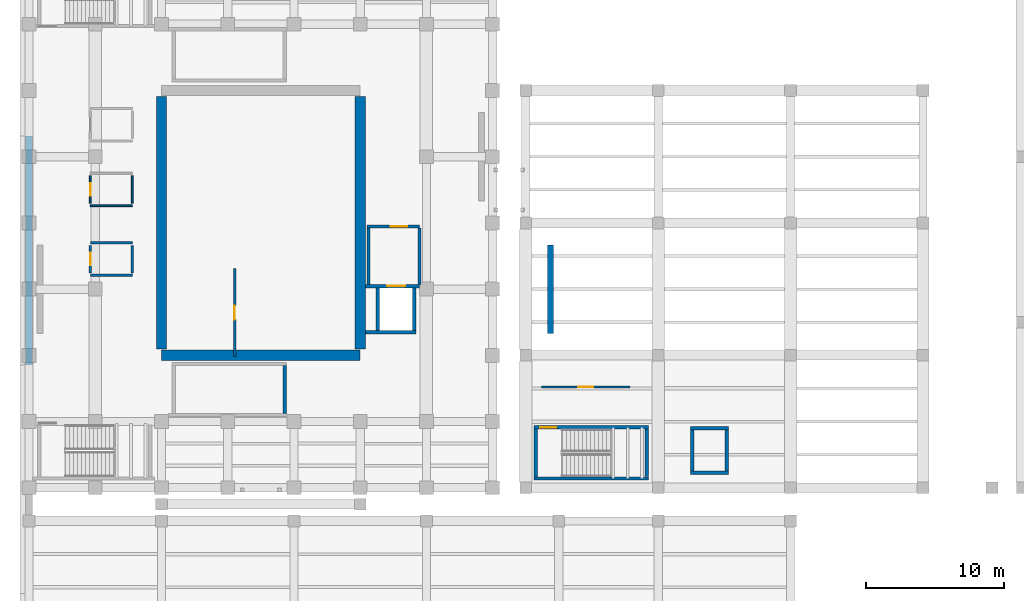
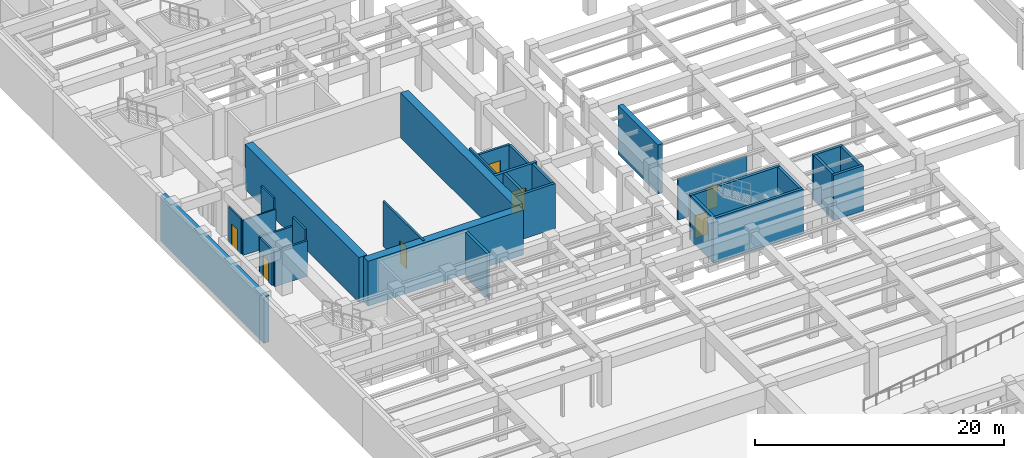
# One storey, part 24 of 45: 30 walls, 7 doors, 7 openings.
"""IFC4 building model written with IfcOpenShell, lengths in metres."""

from ifc_helpers import new_model, si_unit, direction, frame, frame_2d, origin, place, context, subcontext, project, spatial, rectangle, extrude, material, layer, layer_set, type_object, element, fill, save


model = new_model("IFC4")

# Units and contexts
model_context = context("Model", 3, precision=1e-05, world=origin(), true_north=direction((0.0, 1.0)))
body_context = subcontext(model_context, "Body", "Model", "MODEL_VIEW")
ifc_project = project(units=[si_unit("LENGTHUNIT", "METRE"), si_unit("AREAUNIT", "SQUARE_METRE"), si_unit("VOLUMEUNIT", "CUBIC_METRE"), si_unit("PLANEANGLEUNIT", "RADIAN"), si_unit("MASSUNIT", "GRAM", prefix="KILO")], contexts=[model_context])

# Site, building, storey
site_placement = place(None, origin())
site = spatial("IfcSite", under=ifc_project, at=site_placement, CompositionType="ELEMENT")
building_placement = place(site_placement, origin())
building = spatial("IfcBuilding", under=site, at=building_placement, Name="Mavantir Sound Aquarium", CompositionType="ELEMENT")
storey_placement = place(building_placement, frame((0.0, 0.0, -4.800048828125)))
storey = spatial("IfcBuildingStorey", under=building, at=storey_placement, Name="B1", CompositionType="ELEMENT", Elevation=-4.800048828125)

# Wall, opening, door
ifc_material_1 = material(Name="Concrete C40/50", Category="concrete")
ifc_layer_1 = layer(ifc_material_1, 0.199951171875, Name="Concrete C40/50")
ifc_layer_set_1 = layer_set([ifc_layer_1], Name="Concrete C40/50")
wall_type_1 = type_object("IfcWallType", Name="IW-FFL-200", PredefinedType="PARTITIONING", material=ifc_layer_set_1)
wall_1_placement = place(storey_placement, frame((24.5, 59.75, 0.0), z_axis=(0.0, 0.0, 1.0), x_axis=(1.0, 0.0, 0.0)))
wall_1 = element("IfcWall", 1, at=wall_1_placement, inside=storey, type_object=wall_type_1, Name="B1 firefighting lift lobby LC1 wall N", PredefinedType="PARTITIONING", context=body_context, shape_type="SweptSolid", body=[
    extrude(rectangle(XDim=3.800048828125, YDim=0.199951171875, at=frame_2d((1.89990234375, 0.0))), origin(), (0.0, 0.0, 1.0), 3.466064453125),
])
opening_1_placement = place(wall_1_placement, frame((1.699951171875, 0.0, 0.0)))
opening_1 = element("IfcOpeningElement", 2, at=opening_1_placement, cuts=wall_1, Name="Opening FD-01", PredefinedType="OPENING", context=body_context, shape_type="SweptSolid", body=[
    extrude(rectangle(XDim=1.199951171875, YDim=2.199951171875, at=frame_2d((0.60009765625, 1.10009765625))), frame((0.0, 0.10986328125, 0.0), z_axis=(0.0, -1.0, 0.0), x_axis=(1.0, 0.0, 0.0)), (0.0, 0.0, 1.0), 0.219970703125),
])
ifc_material_2 = material(Name="Fire-Rated Steel Lobby Door Leaf", Category="steel")
door_type_1 = type_object("IfcDoorType", Name="DR-FFL-120", OperationType="NOTDEFINED", PredefinedType="DOOR", material=ifc_material_2)
door_1_placement = place(opening_1_placement, origin())
door_1 = element("IfcDoor", 3, at=door_1_placement, inside=storey, type_object=door_type_1, Name="B1 firefighting lobby LC1 accommodation door", OperationType="SINGLE_SWING_RIGHT", OverallHeight=2.199951171875, OverallWidth=1.199951171875, PredefinedType="DOOR", context=body_context, shape_type="SweptSolid", body=[
    extrude(rectangle(XDim=1.199951171875, YDim=2.199951171875, at=frame_2d((0.60009765625, 1.10009765625))), frame((0.0, 0.02490234375, 0.0), z_axis=(0.0, -1.0, 0.0), x_axis=(1.0, 0.0, 0.0)), (0.0, 0.0, 1.0), 0.050048828125),
])
fill(opening_1, door_1)

# Walls
wall_2_placement = place(storey_placement, frame((24.60009765625, 55.550048828125, 0.0), z_axis=(0.0, 0.0, 1.0), x_axis=(0.0, 1.0, 0.0)))
element("IfcWall", 4, at=wall_2_placement, inside=storey, type_object=wall_type_1, Name="B1 firefighting lift lobby LC1 wall W", PredefinedType="PARTITIONING", context=body_context, shape_type="SweptSolid", body=[
    extrude(rectangle(XDim=4.099853515625, YDim=0.199951171875, at=frame_2d((2.0498046875, 0.0))), origin(), (0.0, 0.0, 1.0), 4.43994140625),
])
wall_3_placement = place(storey_placement, frame((28.300048828125, 55.550048828125, 0.0), z_axis=(0.0, 0.0, 1.0), x_axis=(0.0, 1.0, 0.0)))
element("IfcWall", 5, at=wall_3_placement, inside=storey, type_object=wall_type_1, Name="B1 firefighting lift lobby LC1 wall E", PredefinedType="PARTITIONING", context=body_context, shape_type="SweptSolid", body=[
    extrude(rectangle(XDim=4.099853515625, YDim=0.199951171875, at=frame_2d((2.0498046875, 0.0))), origin(), (0.0, 0.0, 1.0), 3.466064453125),
])
ifc_material_3 = material(Name="Acoustic Metal-Stud Gypsum Partition", Category="gypsum")
ifc_layer_2 = layer(ifc_material_3, 0.1298828125, Name="Acoustic Metal-Stud Gypsum Partition")
ifc_layer_set_2 = layer_set([ifc_layer_2], Name="Acoustic Metal-Stud Gypsum Partition")
wall_type_2 = type_object("IfcWallType", Name="IW-PART-130", PredefinedType="PARTITIONING", material=ifc_layer_set_2)
wall_4_placement = place(storey_placement, frame((4.43994140625, 61.25, 0.0), z_axis=(0.0, 0.0, 1.0), x_axis=(1.0, 0.0, 0.0)))
element("IfcWall", 6, at=wall_4_placement, inside=storey, type_object=wall_type_2, Name="B1 B1 Womens WC partition S", PredefinedType="PARTITIONING", context=body_context, shape_type="SweptSolid", body=[
    extrude(rectangle(XDim=3.0400390625, YDim=0.1298828125, at=frame_2d((1.52001953125, 0.0))), origin(), (0.0, 0.0, 1.0), 3.466064453125),
])

# Wall, opening, door
wall_5_placement = place(storey_placement, frame((4.43994140625, 61.429931640625, 0.0), z_axis=(0.0, 0.0, 1.0), x_axis=(0.0, 1.0, 0.0)))
wall_5 = element("IfcWall", 7, at=wall_5_placement, inside=storey, type_object=wall_type_2, Name="B1 B1 Womens WC partition W", PredefinedType="PARTITIONING", context=body_context, shape_type="SweptSolid", body=[
    extrude(rectangle(XDim=1.989990234375, YDim=0.1298828125, at=frame_2d((0.9951171875, 0.0))), origin(), (0.0, 0.0, 1.0), 3.466064453125),
])
opening_2_placement = place(wall_5_placement, frame((0.534912109375, 0.0, 0.0)))
opening_2 = element("IfcOpeningElement", 8, at=opening_2_placement, cuts=wall_5, Name="Opening ID-01", PredefinedType="OPENING", context=body_context, shape_type="SweptSolid", body=[
    extrude(rectangle(XDim=0.919921875, YDim=2.1201171875, at=frame_2d((0.4599609375, 1.06005859375))), frame((0.0, 0.074951171875, 0.0), z_axis=(0.0, -1.0, 0.0), x_axis=(1.0, 0.0, 0.0)), (0.0, 0.0, 1.0), 0.14990234375),
])
ifc_material_4 = material(Name="Solid-Core Marine Hardwood and Vision-Panel Door", Category="wood")
door_type_2 = type_object("IfcDoorType", Name="DR-INT-01", OperationType="NOTDEFINED", PredefinedType="DOOR", material=ifc_material_4)
door_2_placement = place(opening_2_placement, origin())
door_2 = element("IfcDoor", 9, at=door_2_placement, inside=storey, type_object=door_type_2, Name="B1 Womens WC entrance door", OperationType="SINGLE_SWING_LEFT", OverallHeight=2.1201171875, OverallWidth=0.919921875, PredefinedType="DOOR", context=body_context, shape_type="SweptSolid", body=[
    extrude(rectangle(XDim=0.919921875, YDim=2.1201171875, at=frame_2d((0.4599609375, 1.06005859375))), frame((0.0, 0.02490234375, 0.0), z_axis=(0.0, -1.0, 0.0), x_axis=(1.0, 0.0, 0.0)), (0.0, 0.0, 1.0), 0.050048828125),
])
fill(opening_2, door_2)

# Wall
wall_6_placement = place(storey_placement, frame((7.47998046875, 61.429931640625, 0.0), z_axis=(0.0, 0.0, 1.0), x_axis=(0.0, 1.0, 0.0)))
element("IfcWall", 10, at=wall_6_placement, inside=storey, type_object=wall_type_2, Name="B1 B1 Womens WC partition E", PredefinedType="PARTITIONING", context=body_context, shape_type="SweptSolid", body=[
    extrude(rectangle(XDim=1.989990234375, YDim=0.1298828125, at=frame_2d((0.9951171875, 0.0))), origin(), (0.0, 0.0, 1.0), 4.43994140625),
])

# Wall, opening, door
ifc_layer_3 = layer(ifc_material_3, 0.159912109375, Name="Acoustic Metal-Stud Gypsum Partition")
ifc_layer_set_3 = layer_set([ifc_layer_3], Name="Acoustic Metal-Stud Gypsum Partition")
wall_type_3 = type_object("IfcWallType", Name="IW-PART-160", PredefinedType="PARTITIONING", material=ifc_layer_set_3)
wall_7_placement = place(storey_placement, frame((37.14990234375, 48.10009765625, 0.0), z_axis=(0.0, 0.0, 1.0), x_axis=(1.0, 0.0, 0.0)))
wall_7 = element("IfcWall", 11, at=wall_7_placement, inside=storey, type_object=wall_type_3, Name="B1 Tunnel Acrylic Rebate Inspection Gallery entry partition", PredefinedType="PARTITIONING", context=body_context, shape_type="SweptSolid", body=[
    extrude(rectangle(XDim=6.400146484375, YDim=0.159912109375, at=frame_2d((3.2001953125, 0.0))), origin(), (0.0, 0.0, 1.0), 4.05615234375),
])
opening_3_placement = place(wall_7_placement, frame((2.669921875, 0.0, 0.0)))
opening_3 = element("IfcOpeningElement", 12, at=opening_3_placement, cuts=wall_7, Name="Opening ID-05", PredefinedType="OPENING", context=body_context, shape_type="SweptSolid", body=[
    extrude(rectangle(XDim=1.06005859375, YDim=2.199951171875, at=frame_2d((0.530029296875, 1.10009765625))), frame((0.0, 0.08984375, 0.0), z_axis=(0.0, -1.0, 0.0), x_axis=(1.0, 0.0, 0.0)), (0.0, 0.0, 1.0), 0.179931640625),
])
door_type_3 = type_object("IfcDoorType", Name="DR-INT-05", OperationType="NOTDEFINED", PredefinedType="DOOR", material=ifc_material_4)
door_3_placement = place(opening_3_placement, origin())
door_3 = element("IfcDoor", 13, at=door_3_placement, inside=storey, type_object=door_type_3, Name="Tunnel Acrylic Rebate Inspection Gallery door", OperationType="SINGLE_SWING_RIGHT", OverallHeight=2.199951171875, OverallWidth=1.06005859375, PredefinedType="DOOR", context=body_context, shape_type="SweptSolid", body=[
    extrude(rectangle(XDim=1.06005859375, YDim=2.199951171875, at=frame_2d((0.530029296875, 1.10009765625))), frame((0.0, 0.02490234375, 0.0), z_axis=(0.0, -1.0, 0.0), x_axis=(1.0, 0.0, 0.0)), (0.0, 0.0, 1.0), 0.050048828125),
])
fill(opening_3, door_3)

# Walls
ifc_layer_4 = layer(ifc_material_3, 0.179931640625, Name="Acoustic Metal-Stud Gypsum Partition")
ifc_layer_set_4 = layer_set([ifc_layer_4], Name="Acoustic Metal-Stud Gypsum Partition")
wall_type_4 = type_object("IfcWallType", Name="IW-PART-180", PredefinedType="PARTITIONING", material=ifc_layer_set_4)
for number, where, z_axis, x_axis, name in (
    (14, (4.43994140625, 58.550048828125, 0.0), (0.0, 0.0, 1.0), (1.0, 0.0, 0.0), "B1 B1 Mens WC partition N"),
    (15, (4.43994140625, 56.199951171875, 0.0), (0.0, 0.0, 1.0), (1.0, 0.0, 0.0), "B1 B1 Mens WC partition S"),
):
    element("IfcWall", number, at=place(storey_placement, frame(where, z_axis=z_axis, x_axis=x_axis)), inside=storey, type_object=wall_type_4, Name=name, PredefinedType="PARTITIONING", context=body_context, shape_type="SweptSolid", body=[
        extrude(rectangle(XDim=3.0400390625, YDim=0.179931640625, at=frame_2d((1.52001953125, 0.0))), origin(), (0.0, 0.0, 1.0), 3.466064453125),
    ])

# Wall, opening, door
wall_8_placement = place(storey_placement, frame((4.43994140625, 56.3798828125, 0.0), z_axis=(0.0, 0.0, 1.0), x_axis=(0.0, 1.0, 0.0)))
wall_8 = element("IfcWall", 16, at=wall_8_placement, inside=storey, type_object=wall_type_4, Name="B1 B1 Mens WC partition W", PredefinedType="PARTITIONING", context=body_context, shape_type="SweptSolid", body=[
    extrude(rectangle(XDim=1.990234375, YDim=0.179931640625, at=frame_2d((0.9951171875, 0.0))), origin(), (0.0, 0.0, 1.0), 3.466064453125),
])
opening_4_placement = place(wall_8_placement, frame((0.534912109375, 0.0, 0.0)))
opening_4 = element("IfcOpeningElement", 17, at=opening_4_placement, cuts=wall_8, Name="Opening ID-01", PredefinedType="OPENING", context=body_context, shape_type="SweptSolid", body=[
    extrude(rectangle(XDim=0.919921875, YDim=2.1201171875, at=frame_2d((0.4599609375, 1.06005859375))), frame((0.0, 0.10009765625, 0.0), z_axis=(0.0, -1.0, 0.0), x_axis=(1.0, 0.0, 0.0)), (0.0, 0.0, 1.0), 0.199951171875),
])
door_4_placement = place(opening_4_placement, origin())
door_4 = element("IfcDoor", 18, at=door_4_placement, inside=storey, type_object=door_type_2, Name="B1 Mens WC entrance door", OperationType="SINGLE_SWING_RIGHT", OverallHeight=2.1201171875, OverallWidth=0.919921875, PredefinedType="DOOR", context=body_context, shape_type="SweptSolid", body=[
    extrude(rectangle(XDim=0.919921875, YDim=2.1201171875, at=frame_2d((0.4599609375, 1.06005859375))), frame((0.0, 0.02490234375, 0.0), z_axis=(0.0, -1.0, 0.0), x_axis=(1.0, 0.0, 0.0)), (0.0, 0.0, 1.0), 0.050048828125),
])
fill(opening_4, door_4)

# Wall
wall_9_placement = place(storey_placement, frame((7.47998046875, 56.3798828125, 0.0), z_axis=(0.0, 0.0, 1.0), x_axis=(0.0, 1.0, 0.0)))
element("IfcWall", 19, at=wall_9_placement, inside=storey, type_object=wall_type_4, Name="B1 B1 Mens WC partition E", PredefinedType="PARTITIONING", context=body_context, shape_type="SweptSolid", body=[
    extrude(rectangle(XDim=1.990234375, YDim=0.179931640625, at=frame_2d((0.9951171875, 0.0))), origin(), (0.0, 0.0, 1.0), 4.43994140625),
])

# Wall, opening, door
wall_10_placement = place(storey_placement, frame((14.89990234375, 50.300048828125, 0.0), z_axis=(0.0, 0.0, 1.0), x_axis=(0.0, 1.0, 0.0)))
wall_10 = element("IfcWall", 20, at=wall_10_placement, inside=storey, type_object=wall_type_4, Name="B1 Ocean Tank Under-Basin Manifold and Husbandry Pump Hall entry partition", PredefinedType="PARTITIONING", context=body_context, shape_type="SweptSolid", body=[
    extrude(rectangle(XDim=6.39990234375, YDim=0.179931640625, at=frame_2d((3.199951171875, 0.0))), origin(), (0.0, 0.0, 1.0), 4.43994140625),
])
opening_5_placement = place(wall_10_placement, frame((2.68994140625, 0.0, 0.0)))
opening_5 = element("IfcOpeningElement", 21, at=opening_5_placement, cuts=wall_10, Name="Opening ID-04", PredefinedType="OPENING", context=body_context, shape_type="SweptSolid", body=[
    extrude(rectangle(XDim=1.02001953125, YDim=2.179931640625, at=frame_2d((0.510009765625, 1.08984375))), frame((0.0, 0.10009765625, 0.0), z_axis=(0.0, -1.0, 0.0), x_axis=(1.0, 0.0, 0.0)), (0.0, 0.0, 1.0), 0.199951171875),
])
door_type_4 = type_object("IfcDoorType", Name="DR-INT-04", OperationType="NOTDEFINED", PredefinedType="DOOR", material=ifc_material_4)
door_5_placement = place(opening_5_placement, origin())
door_5 = element("IfcDoor", 22, at=door_5_placement, inside=storey, type_object=door_type_4, Name="Ocean Tank Under-Basin Manifold and Husbandry Pump Hall door", OperationType="SINGLE_SWING_LEFT", OverallHeight=2.179931640625, OverallWidth=1.02001953125, PredefinedType="DOOR", context=body_context, shape_type="SweptSolid", body=[
    extrude(rectangle(XDim=1.02001953125, YDim=2.179931640625, at=frame_2d((0.510009765625, 1.08984375))), frame((0.0, 0.02490234375, 0.0), z_axis=(0.0, -1.0, 0.0), x_axis=(1.0, 0.0, 0.0)), (0.0, 0.0, 1.0), 0.050048828125),
])
fill(opening_5, door_5)

# Walls
ifc_layer_5 = layer(ifc_material_1, 0.25, Name="Concrete C40/50")
ifc_layer_set_5 = layer_set([ifc_layer_5], Name="Concrete C40/50")
wall_type_5 = type_object("IfcWallType", Name="IW-SHAFT-250", PredefinedType="SHEAR", material=ifc_layer_set_5)
wall_11_placement = place(storey_placement, frame((18.52490234375, 46.199951171875, 0.0), z_axis=(0.0, 0.0, 1.0), x_axis=(0.0, 1.0, 0.0)))
element("IfcWall", 23, at=wall_11_placement, inside=storey, type_object=wall_type_5, Name="B1 stair ST9 shaft wall E", PredefinedType="SHEAR", context=body_context, shape_type="SweptSolid", body=[
    extrude(rectangle(XDim=3.449951171875, YDim=0.25, at=frame_2d((1.72509765625, 0.0))), origin(), (0.0, 0.0, 1.0), 4.400146484375),
])
wall_12_placement = place(storey_placement, frame((36.60009765625, 41.47509765625, 0.0), z_axis=(0.0, 0.0, 1.0), x_axis=(1.0, 0.0, 0.0)))
element("IfcWall", 24, at=wall_12_placement, inside=storey, type_object=wall_type_5, Name="B1 stair ST8 shaft wall S", PredefinedType="SHEAR", context=body_context, shape_type="SweptSolid", body=[
    extrude(rectangle(XDim=8.2998046875, YDim=0.25, at=frame_2d((4.14990234375, 0.0))), origin(), (0.0, 0.0, 1.0), 4.400146484375),
])

# Wall, opening, door
wall_13_placement = place(storey_placement, frame((44.89990234375, 45.175048828125, 0.0), z_axis=(0.0, 0.0, 1.0), x_axis=(-1.0, 0.0, 0.0)))
wall_13 = element("IfcWall", 25, at=wall_13_placement, inside=storey, type_object=wall_type_5, Name="B1 stair ST8 shaft wall N", PredefinedType="SHEAR", context=body_context, shape_type="SweptSolid", body=[
    extrude(rectangle(XDim=8.2998046875, YDim=0.25, at=frame_2d((4.14990234375, 0.0))), origin(), (0.0, 0.0, 1.0), 4.400146484375),
])
opening_6_placement = place(wall_13_placement, frame((7.849853515625, 0.0, 0.0), z_axis=(0.0, 0.0, 1.0), x_axis=(-1.0, 0.0, 0.0)))
opening_6 = element("IfcOpeningElement", 26, at=opening_6_placement, cuts=wall_13, Name="Opening SD-02", PredefinedType="OPENING", context=body_context, shape_type="SweptSolid", body=[
    extrude(rectangle(XDim=1.14990234375, YDim=2.199951171875, at=frame_2d((0.574951171875, 1.10009765625))), frame((0.0, 0.135009765625, 0.0), z_axis=(0.0, -1.0, 0.0), x_axis=(1.0, 0.0, 0.0)), (0.0, 0.0, 1.0), 0.27001953125),
])
ifc_material_5 = material(Name="Fire-Rated Steel Acoustic Door Leaf", Category="steel")
door_type_5 = type_object("IfcDoorType", Name="DR-ST-115", OperationType="NOTDEFINED", PredefinedType="DOOR", material=ifc_material_5)
door_6_placement = place(opening_6_placement, origin())
door_6 = element("IfcDoor", 27, at=door_6_placement, inside=storey, type_object=door_type_5, Name="B1 protected exit stair ST8 door", OperationType="SINGLE_SWING_RIGHT", OverallHeight=2.199951171875, OverallWidth=1.14990234375, PredefinedType="DOOR", context=body_context, shape_type="SweptSolid", body=[
    extrude(rectangle(XDim=1.14990234375, YDim=2.199951171875, at=frame_2d((0.574951171875, 1.10009765625))), frame((0.0, 0.02490234375, 0.0), z_axis=(0.0, -1.0, 0.0), x_axis=(1.0, 0.0, 0.0)), (0.0, 0.0, 1.0), 0.050048828125),
])
fill(opening_6, door_6)

# Walls
for number, where, z_axis, x_axis, name in (
    (28, (36.72509765625, 45.050048828125, 0.0), (0.0, 0.0, 1.0), (0.0, -1.0, 0.0), "B1 stair ST8 shaft wall W"),
    (29, (44.77490234375, 41.60009765625, 0.0), (0.0, 0.0, 1.0), (0.0, 1.0, 0.0), "B1 stair ST8 shaft wall E"),
):
    element("IfcWall", number, at=place(storey_placement, frame(where, z_axis=z_axis, x_axis=x_axis)), inside=storey, type_object=wall_type_5, Name=name, PredefinedType="SHEAR", context=body_context, shape_type="SweptSolid", body=[
        extrude(rectangle(XDim=3.449951171875, YDim=0.25, at=frame_2d((1.72509765625, 0.0))), origin(), (0.0, 0.0, 1.0), 4.400146484375),
    ])
wall_14_placement = place(storey_placement, frame((24.375, 52.074951171875, 0.0), z_axis=(0.0, 0.0, 1.0), x_axis=(1.0, 0.0, 0.0)))
element("IfcWall", 30, at=wall_14_placement, inside=storey, type_object=wall_type_5, Name="B1 lift LC1 shaft wall S", PredefinedType="SHEAR", context=body_context, shape_type="SweptSolid", body=[
    extrude(rectangle(XDim=3.675048828125, YDim=0.25, at=frame_2d((1.83740234375, 0.0))), origin(), (0.0, 0.0, 1.0), 4.400146484375),
])

# Wall, opening, door
wall_15_placement = place(storey_placement, frame((24.375, 55.425048828125, 0.0), z_axis=(0.0, 0.0, 1.0), x_axis=(1.0, 0.0, 0.0)))
wall_15 = element("IfcWall", 31, at=wall_15_placement, inside=storey, type_object=wall_type_5, Name="B1 lift LC1 shaft wall N", PredefinedType="SHEAR", context=body_context, shape_type="SweptSolid", body=[
    extrude(rectangle(XDim=3.925048828125, YDim=0.25, at=frame_2d((1.96240234375, 0.0))), origin(), (0.0, 0.0, 1.0), 4.400146484375),
])
opening_7_placement = place(wall_15_placement, frame((1.574951171875, 0.0, 0.0)))
opening_7 = element("IfcOpeningElement", 32, at=opening_7_placement, cuts=wall_15, Name="Opening LD-01", PredefinedType="OPENING", context=body_context, shape_type="SweptSolid", body=[
    extrude(rectangle(XDim=1.300048828125, YDim=2.199951171875, at=frame_2d((0.64990234375, 1.10009765625))), frame((0.0, 0.135009765625, 0.0), z_axis=(0.0, -1.0, 0.0), x_axis=(1.0, 0.0, 0.0)), (0.0, 0.0, 1.0), 0.27001953125),
])
ifc_material_6 = material(Name="Stainless Steel 316 Sliding Lift Landing Door", Category="steel")
door_type_6 = type_object("IfcDoorType", Name="DR-LD-130", OperationType="NOTDEFINED", PredefinedType="DOOR", material=ifc_material_6)
door_7_placement = place(opening_7_placement, origin())
door_7 = element("IfcDoor", 33, at=door_7_placement, inside=storey, type_object=door_type_6, Name="Lift LC1 sliding landing door (B1)", OperationType="DOUBLE_DOOR_SLIDING", OverallHeight=2.199951171875, OverallWidth=1.300048828125, PredefinedType="DOOR", context=body_context, shape_type="SweptSolid", body=[
    extrude(rectangle(XDim=1.300048828125, YDim=2.199951171875, at=frame_2d((0.64990234375, 1.10009765625))), frame((0.0, 0.02490234375, 0.0), z_axis=(0.0, -1.0, 0.0), x_axis=(1.0, 0.0, 0.0)), (0.0, 0.0, 1.0), 0.050048828125),
])
fill(opening_7, door_7)

# Walls
for number, where, z_axis, x_axis, name in (
    (34, (25.27490234375, 52.199951171875, 0.0), (0.0, 0.0, 1.0), (0.0, 1.0, 0.0), "B1 lift LC1 shaft wall W"),
    (35, (27.925048828125, 52.199951171875, 0.0), (0.0, 0.0, 1.0), (0.0, 1.0, 0.0), "B1 lift LC1 shaft wall E"),
):
    element("IfcWall", number, at=place(storey_placement, frame(where, z_axis=z_axis, x_axis=x_axis)), inside=storey, type_object=wall_type_5, Name=name, PredefinedType="SHEAR", context=body_context, shape_type="SweptSolid", body=[
        extrude(rectangle(XDim=3.10009765625, YDim=0.25, at=frame_2d((1.550048828125, 0.0))), origin(), (0.0, 0.0, 1.0), 4.400146484375),
    ])
for number, where, z_axis, x_axis, name in (
    (36, (47.949951171875, 41.875, 0.0), (0.0, 0.0, 1.0), (1.0, 0.0, 0.0), "B1 lift LC5 shaft wall S"),
    (37, (47.949951171875, 45.125, 0.0), (0.0, 0.0, 1.0), (1.0, 0.0, 0.0), "B1 lift LC5 shaft wall N"),
):
    element("IfcWall", number, at=place(storey_placement, frame(where, z_axis=z_axis, x_axis=x_axis)), inside=storey, type_object=wall_type_5, Name=name, PredefinedType="SHEAR", context=body_context, shape_type="SweptSolid", body=[
        extrude(rectangle(XDim=2.75, YDim=0.25, at=frame_2d((1.375, 0.0))), origin(), (0.0, 0.0, 1.0), 4.400146484375),
    ])
for number, where, z_axis, x_axis, name in (
    (38, (48.074951171875, 42.0, 0.0), (0.0, 0.0, 1.0), (0.0, 1.0, 0.0), "B1 lift LC5 shaft wall W"),
    (39, (50.574951171875, 42.0, 0.0), (0.0, 0.0, 1.0), (0.0, 1.0, 0.0), "B1 lift LC5 shaft wall E"),
):
    element("IfcWall", number, at=place(storey_placement, frame(where, z_axis=z_axis, x_axis=x_axis)), inside=storey, type_object=wall_type_5, Name=name, PredefinedType="SHEAR", context=body_context, shape_type="SweptSolid", body=[
        extrude(rectangle(XDim=3.0, YDim=0.25, at=frame_2d((1.5, 0.0))), origin(), (0.0, 0.0, 1.0), 4.400146484375),
    ])
ifc_layer_6 = layer(ifc_material_1, 0.5, Name="Concrete C40/50")
ifc_layer_set_6 = layer_set([ifc_layer_6], Name="Concrete C40/50")
wall_type_6 = type_object("IfcWallType", Name="SW-RET-500", PredefinedType="USERDEFINED", material=ifc_layer_set_6)
wall_16_placement = place(storey_placement, frame((0.0, 49.714111328125, 0.0), z_axis=(0.0, 0.0, 1.0), x_axis=(0.0, 1.0, 0.0)))
element("IfcWall", 40, at=wall_16_placement, inside=storey, type_object=wall_type_6, Name="B1 perimeter plinth retaining wall 8", ObjectType="RETAINING WALL", PredefinedType="USERDEFINED", context=body_context, shape_type="SweptSolid", body=[
    extrude(rectangle(XDim=16.57177734375, YDim=0.5, at=frame_2d((8.285888671875, 0.0))), origin(), (0.0, 0.0, 1.0), 4.5),
])
ifc_layer_7 = layer(ifc_material_1, 0.449951171875, Name="Concrete C40/50")
ifc_layer_set_7 = layer_set([ifc_layer_7], Name="Concrete C40/50")
wall_type_7 = type_object("IfcWallType", Name="SW-SHR-450", PredefinedType="SHEAR", material=ifc_layer_set_7)
wall_17_placement = place(storey_placement, frame((37.800048828125, 52.0, 0.0), z_axis=(0.0, 0.0, 1.0), x_axis=(0.0, 1.0, 0.0)))
element("IfcWall", 41, at=wall_17_placement, inside=storey, type_object=wall_type_7, Name="B1 special RC shear wall 14 (V2)", PredefinedType="SHEAR", context=body_context, shape_type="SweptSolid", body=[
    extrude(rectangle(XDim=6.39990234375, YDim=0.449951171875, at=frame_2d((3.199951171875, 0.0))), origin(), (0.0, 0.0, 1.0), 4.800048828125),
])
ifc_material_7 = material(Name="Concrete C45/55", Category="concrete")
ifc_layer_8 = layer(ifc_material_7, 0.75, Name="Concrete C45/55")
ifc_layer_set_8 = layer_set([ifc_layer_8], Name="Concrete C45/55")
wall_type_8 = type_object("IfcWallType", Name="SW-TANK-750", PredefinedType="SOLIDWALL", material=ifc_layer_set_8)
wall_18_placement = place(storey_placement, frame((9.60009765625, 50.39990234375, 0.0), z_axis=(0.0, 0.0, 1.0), x_axis=(1.0, 0.0, 0.0)))
element("IfcWall", 42, at=wall_18_placement, inside=storey, type_object=wall_type_8, Name="B1 Pelagic Ocean Tank wall S", PredefinedType="SOLIDWALL", context=body_context, shape_type="SweptSolid", body=[
    extrude(rectangle(XDim=14.39990234375, YDim=0.75, at=frame_2d((7.199951171875, 0.0))), origin(), (0.0, 0.0, 1.0), 4.400146484375),
])
for number, where, z_axis, x_axis, name in (
    (43, (24.0, 50.85009765625, 0.0), (0.0, 0.0, 1.0), (0.0, 1.0, 0.0), "B1 Pelagic Ocean Tank wall E"),
    (44, (9.60009765625, 69.14990234375, 0.0), (0.0, 0.0, 1.0), (0.0, -1.0, 0.0), "B1 Pelagic Ocean Tank wall W"),
):
    element("IfcWall", number, at=place(storey_placement, frame(where, z_axis=z_axis, x_axis=x_axis)), inside=storey, type_object=wall_type_8, Name=name, PredefinedType="SOLIDWALL", context=body_context, shape_type="SweptSolid", body=[
        extrude(rectangle(XDim=18.2998046875, YDim=0.75, at=frame_2d((9.14990234375, 0.0))), origin(), (0.0, 0.0, 1.0), 4.400146484375),
    ])

save(model, "model.ifc")
